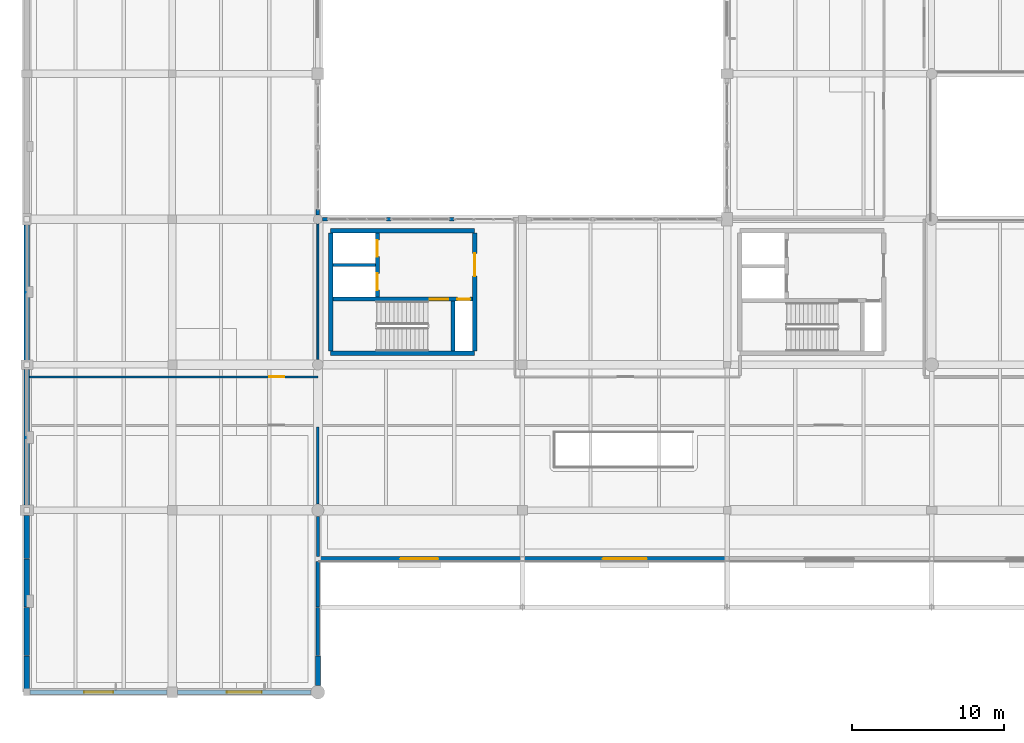
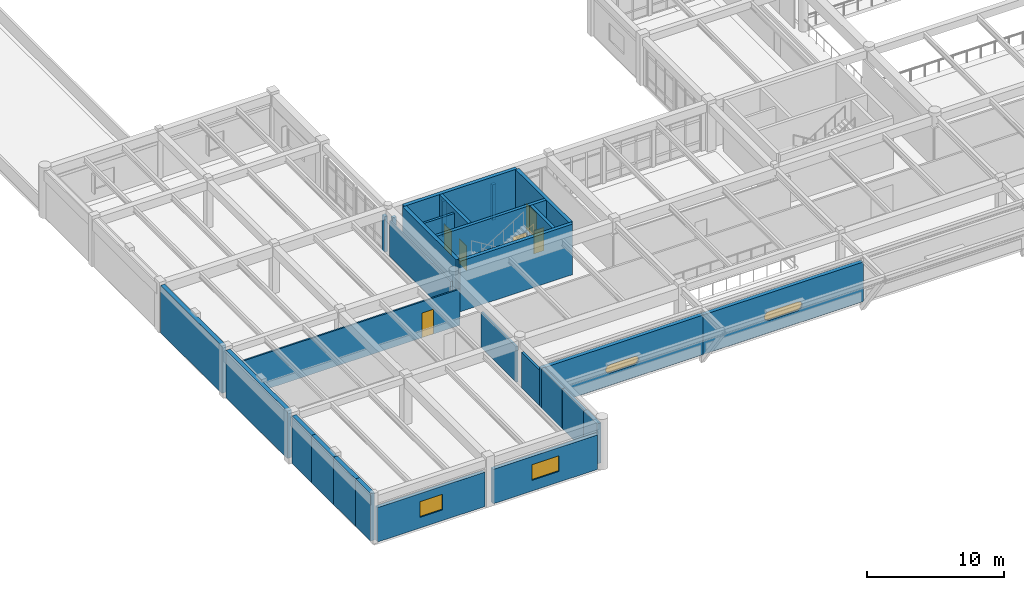
# One storey, part 87 of 109: 29 walls, 6 doors, 4 windows, 10 openings.
"""IFC4 building model written with IfcOpenShell, lengths in metres."""

from ifc_helpers import new_model, si_unit, direction, frame, frame_2d, origin, place, context, subcontext, project, spatial, polyline, rectangle, outline, extrude, material, layer, layer_set, type_object, element, fill, save


model = new_model("IFC4")

# Units and contexts
model_context = context("Model", 3, precision=1e-05, world=origin(), true_north=direction((0.0, 1.0)))
body_context = subcontext(model_context, "Body", "Model", "MODEL_VIEW")
ifc_project = project(units=[si_unit("LENGTHUNIT", "METRE"), si_unit("AREAUNIT", "SQUARE_METRE"), si_unit("VOLUMEUNIT", "CUBIC_METRE"), si_unit("PLANEANGLEUNIT", "RADIAN"), si_unit("MASSUNIT", "GRAM", prefix="KILO")], contexts=[model_context])

# Site, building, storey
site_placement = place(None, origin())
site = spatial("IfcSite", under=ifc_project, at=site_placement, CompositionType="ELEMENT")
building_placement = place(site_placement, origin())
building = spatial("IfcBuilding", under=site, at=building_placement, Name="Fikremerkos Civic Library", CompositionType="ELEMENT")
storey_placement = place(building_placement, frame((0.0, 0.0, 5.39990234375)))
storey = spatial("IfcBuildingStorey", under=building, at=storey_placement, Name="L01", CompositionType="ELEMENT", Elevation=5.39990234375)

# Walls
ifc_material_1 = material(Name="Concrete C40/50", Category="concrete")
ifc_layer_1 = layer(ifc_material_1, 0.300048828125, Name="Concrete C40/50")
ifc_layer_set_1 = layer_set([ifc_layer_1], Name="Concrete C40/50")
wall_type_1 = type_object("IfcWallType", Name="Core shear wall CSW-01 300", PredefinedType="SHEAR", material=ifc_layer_set_1)
for number, where, z_axis, x_axis, name in (
    (1, (29.550048828125, 22.35009765625, 0.0), (0.0, 0.0, 1.0), (-1.0, 0.0, 0.0), "Core K1 south shear wall L01"),
    (2, (20.050048828125, 30.449951171875, 0.0), (0.0, 0.0, 1.0), (1.0, 0.0, 0.0), "Core K1 north shear wall L01"),
):
    element("IfcWall", number, at=place(storey_placement, frame(where, z_axis=z_axis, x_axis=x_axis)), inside=storey, type_object=wall_type_1, Name=name, PredefinedType="SHEAR", context=body_context, shape_type="SweptSolid", body=[
        extrude(rectangle(XDim=9.5, YDim=0.300048828125, at=frame_2d((4.75, 0.0))), origin(), (0.0, 0.0, 1.0), 4.5),
    ])
wall_1_placement = place(storey_placement, frame((20.050048828125, 22.501953125, 0.0), z_axis=(0.0, 0.0, 1.0), x_axis=(0.0, 1.0, 0.0)))
element("IfcWall", 3, at=wall_1_placement, inside=storey, type_object=wall_type_1, Name="Core K1 west shear wall L01", PredefinedType="SHEAR", context=body_context, shape_type="SweptSolid", body=[
    extrude(rectangle(XDim=7.796142578125, YDim=0.300048828125, at=frame_2d((3.89794921875, 0.0))), origin(), (0.0, 0.0, 1.0), 4.5),
])

# Wall, opening, door
wall_2_placement = place(storey_placement, frame((29.550048828125, 30.298095703125, 0.0), z_axis=(0.0, 0.0, 1.0), x_axis=(0.0, -1.0, 0.0)))
wall_2 = element("IfcWall", 4, at=wall_2_placement, inside=storey, type_object=wall_type_1, Name="Core K1 east shear wall L01", PredefinedType="SHEAR", context=body_context, shape_type="SweptSolid", body=[
    extrude(rectangle(XDim=7.796142578125, YDim=0.300048828125, at=frame_2d((3.89794921875, 0.0))), origin(), (0.0, 0.0, 1.0), 4.5),
])
opening_1_placement = place(wall_2_placement, frame((1.347900390625, 0.0, 0.0)))
opening_1 = element("IfcOpeningElement", 5, at=opening_1_placement, cuts=wall_2, Name="Opening D038", PredefinedType="OPENING", context=body_context, shape_type="SweptSolid", body=[
    extrude(rectangle(XDim=1.5, YDim=2.25, at=frame_2d((0.75, 1.125))), frame((0.0, 0.159912109375, 0.0), z_axis=(0.0, -1.0, 0.0), x_axis=(1.0, 0.0, 0.0)), (0.0, 0.0, 1.0), 0.320068359375),
])
ifc_material_2 = material(Name="Hardwood timber and acoustic glass", Category="wood")
door_type_1 = type_object("IfcDoorType", Name="Pedestrian door DT-05 1500x2250", OperationType="NOTDEFINED", PredefinedType="DOOR", material=ifc_material_2)
door_1_placement = place(opening_1_placement, origin())
door_1 = element("IfcDoor", 6, at=door_1_placement, inside=storey, type_object=door_type_1, Name="Core K1 lobby fire door D038 L01", OperationType="SINGLE_SWING_LEFT", OverallHeight=2.25, OverallWidth=1.5, PredefinedType="DOOR", context=body_context, shape_type="SweptSolid", body=[
    extrude(rectangle(XDim=1.5, YDim=2.25, at=frame_2d((0.75, 1.125))), frame((0.0, 0.032470703125, 0.0), z_axis=(0.0, -1.0, 0.0), x_axis=(1.0, 0.0, 0.0)), (0.0, 0.0, 1.0), 0.06494140625),
])
fill(opening_1, door_1)

# Wall, openings, doors
ifc_layer_2 = layer(ifc_material_1, 0.260009765625, Name="Concrete C40/50")
ifc_layer_set_2 = layer_set([ifc_layer_2], Name="Concrete C40/50")
wall_type_2 = type_object("IfcWallType", Name="Core shear wall CSW-02 260", PredefinedType="SHEAR", material=ifc_layer_set_2)
wall_3_placement = place(storey_placement, frame((20.201904296875, 25.929931640625, 0.0), z_axis=(0.0, 0.0, 1.0), x_axis=(1.0, 0.0, 0.0)))
wall_3 = element("IfcWall", 7, at=wall_3_placement, inside=storey, type_object=wall_type_2, Name="Core K1 stair compartment wall L01", PredefinedType="SHEAR", context=body_context, shape_type="SweptSolid", body=[
    extrude(rectangle(XDim=9.196044921875, YDim=0.260009765625, at=frame_2d((4.59814453125, 0.0))), origin(), (0.0, 0.0, 1.0), 4.5),
])
opening_2_placement = place(wall_3_placement, frame((6.39794921875, 0.0, 0.0)))
opening_2 = element("IfcOpeningElement", 8, at=opening_2_placement, cuts=wall_3, Name="Opening D039", PredefinedType="OPENING", context=body_context, shape_type="SweptSolid", body=[
    extrude(rectangle(XDim=1.199951171875, YDim=2.199951171875, at=frame_2d((0.60009765625, 1.10009765625))), frame((0.0, 0.139892578125, 0.0), z_axis=(0.0, -1.0, 0.0), x_axis=(1.0, 0.0, 0.0)), (0.0, 0.0, 1.0), 0.280029296875),
])
opening_3_placement = place(wall_3_placement, frame((8.202880859375, 0.0, 0.0)))
opening_3 = element("IfcOpeningElement", 9, at=opening_3_placement, cuts=wall_3, Name="Opening D040", PredefinedType="OPENING", context=body_context, shape_type="SweptSolid", body=[
    extrude(rectangle(XDim=0.85009765625, YDim=2.050048828125, at=frame_2d((0.425048828125, 1.02490234375))), frame((0.0, 0.139892578125, 0.0), z_axis=(0.0, -1.0, 0.0), x_axis=(1.0, 0.0, 0.0)), (0.0, 0.0, 1.0), 0.280029296875),
])
door_type_2 = type_object("IfcDoorType", Name="Pedestrian door DT-06 1200x2200", OperationType="NOTDEFINED", PredefinedType="DOOR", material=ifc_material_2)
door_2_placement = place(opening_2_placement, origin())
door_2 = element("IfcDoor", 10, at=door_2_placement, inside=storey, type_object=door_type_2, Name="Core K1 stair fire door D039 L01", OperationType="SINGLE_SWING_LEFT", OverallHeight=2.199951171875, OverallWidth=1.199951171875, PredefinedType="DOOR", context=body_context, shape_type="SweptSolid", body=[
    extrude(rectangle(XDim=1.199951171875, YDim=2.199951171875, at=frame_2d((0.60009765625, 1.10009765625))), frame((0.0, 0.032470703125, 0.0), z_axis=(0.0, -1.0, 0.0), x_axis=(1.0, 0.0, 0.0)), (0.0, 0.0, 1.0), 0.06494140625),
])
fill(opening_2, door_2)
door_type_3 = type_object("IfcDoorType", Name="Pedestrian door DT-08 850x2050", OperationType="NOTDEFINED", PredefinedType="DOOR", material=ifc_material_2)
door_3_placement = place(opening_3_placement, origin())
door_3 = element("IfcDoor", 11, at=door_3_placement, inside=storey, type_object=door_type_3, Name="Core K1 riser access fire door D040 L01", OperationType="SINGLE_SWING_LEFT", OverallHeight=2.050048828125, OverallWidth=0.85009765625, PredefinedType="DOOR", context=body_context, shape_type="SweptSolid", body=[
    extrude(rectangle(XDim=0.85009765625, YDim=2.050048828125, at=frame_2d((0.425048828125, 1.02490234375))), frame((0.0, 0.032470703125, 0.0), z_axis=(0.0, -1.0, 0.0), x_axis=(1.0, 0.0, 0.0)), (0.0, 0.0, 1.0), 0.06494140625),
])
fill(opening_3, door_3)

# Wall
wall_4_placement = place(storey_placement, frame((28.1298828125, 22.501953125, 0.0), z_axis=(0.0, 0.0, 1.0), x_axis=(0.0, 1.0, 0.0)))
element("IfcWall", 12, at=wall_4_placement, inside=storey, type_object=wall_type_2, Name="Core K1 stair-riser shear wall L01", PredefinedType="SHEAR", context=body_context, shape_type="SweptSolid", body=[
    extrude(rectangle(XDim=3.296142578125, YDim=0.260009765625, at=frame_2d((1.64794921875, 0.0))), origin(), (0.0, 0.0, 1.0), 4.5),
])

# Wall, openings, doors
wall_5_placement = place(storey_placement, frame((23.1298828125, 26.06201171875, 0.0), z_axis=(0.0, 0.0, 1.0), x_axis=(0.0, 1.0, 0.0)))
wall_5 = element("IfcWall", 13, at=wall_5_placement, inside=storey, type_object=wall_type_2, Name="Core K1 lift shaft front wall L01", PredefinedType="SHEAR", context=body_context, shape_type="SweptSolid", body=[
    extrude(rectangle(XDim=4.236083984375, YDim=0.260009765625, at=frame_2d((2.1181640625, 0.0))), origin(), (0.0, 0.0, 1.0), 4.5),
])
opening_4_placement = place(wall_5_placement, frame((0.468017578125, 0.0, 0.0)))
opening_4 = element("IfcOpeningElement", 14, at=opening_4_placement, cuts=wall_5, Name="Opening LD07", PredefinedType="OPENING", context=body_context, shape_type="SweptSolid", body=[
    extrude(rectangle(XDim=1.10009765625, YDim=2.14990234375, at=frame_2d((0.550048828125, 1.074951171875))), frame((0.0, 0.139892578125, 0.0), z_axis=(0.0, -1.0, 0.0), x_axis=(1.0, 0.0, 0.0)), (0.0, 0.0, 1.0), 0.280029296875),
])
opening_5_placement = place(wall_5_placement, frame((2.66796875, 0.0, 0.0)))
opening_5 = element("IfcOpeningElement", 15, at=opening_5_placement, cuts=wall_5, Name="Opening LD08", PredefinedType="OPENING", context=body_context, shape_type="SweptSolid", body=[
    extrude(rectangle(XDim=1.10009765625, YDim=2.14990234375, at=frame_2d((0.550048828125, 1.074951171875))), frame((0.0, 0.139892578125, 0.0), z_axis=(0.0, -1.0, 0.0), x_axis=(1.0, 0.0, 0.0)), (0.0, 0.0, 1.0), 0.280029296875),
])
ifc_material_3 = material(Name="Brushed stainless steel", Category="steel")
door_type_4 = type_object("IfcDoorType", Name="Lift landing door LDT-01 1100x2150", OperationType="NOTDEFINED", PredefinedType="DOOR", material=ifc_material_3)
door_4_placement = place(opening_4_placement, origin())
door_4 = element("IfcDoor", 16, at=door_4_placement, inside=storey, type_object=door_type_4, Name="Lift LF01 sliding landing door LD07 L01", OperationType="SLIDING_TO_LEFT", OverallHeight=2.14990234375, OverallWidth=1.10009765625, PredefinedType="DOOR", context=body_context, shape_type="SweptSolid", body=[
    extrude(rectangle(XDim=1.10009765625, YDim=2.14990234375, at=frame_2d((0.550048828125, 1.074951171875))), frame((0.0, 0.032470703125, 0.0), z_axis=(0.0, -1.0, 0.0), x_axis=(1.0, 0.0, 0.0)), (0.0, 0.0, 1.0), 0.06494140625),
])
fill(opening_4, door_4)
door_5_placement = place(opening_5_placement, origin())
door_5 = element("IfcDoor", 17, at=door_5_placement, inside=storey, type_object=door_type_4, Name="Lift LF02 sliding landing door LD08 L01", OperationType="SLIDING_TO_LEFT", OverallHeight=2.14990234375, OverallWidth=1.10009765625, PredefinedType="DOOR", context=body_context, shape_type="SweptSolid", body=[
    extrude(rectangle(XDim=1.10009765625, YDim=2.14990234375, at=frame_2d((0.550048828125, 1.074951171875))), frame((0.0, 0.032470703125, 0.0), z_axis=(0.0, -1.0, 0.0), x_axis=(1.0, 0.0, 0.0)), (0.0, 0.0, 1.0), 0.06494140625),
])
fill(opening_5, door_5)

# Walls
ifc_layer_3 = layer(ifc_material_1, 0.35009765625, Name="Concrete C40/50")
ifc_layer_set_3 = layer_set([ifc_layer_3], Name="Concrete C40/50")
wall_type_3 = type_object("IfcWallType", Name="Exterior solid wall ESW-01 350", PredefinedType="SOLIDWALL", material=ifc_layer_set_3)
wall_6_placement = place(storey_placement, frame((0.0, 0.222900390625, 0.0), z_axis=(0.0, 0.0, 1.0), x_axis=(0.0, 1.0, 0.0)))
element("IfcWall", 18, at=wall_6_placement, inside=storey, type_object=wall_type_3, Name="Party boundary wall ESW-01 L01 #329", PredefinedType="SOLIDWALL", context=body_context, shape_type="SweptSolid", body=[
    extrude(rectangle(XDim=2.175048828125, YDim=0.35009765625, at=frame_2d((1.08740234375, 0.0))), origin(), (0.0, 0.0, 1.0), 4.22021484375),
])
wall_7_placement = place(storey_placement, frame((0.0, 2.402099609375, 0.0), z_axis=(0.0, 0.0, 1.0), x_axis=(0.0, 1.0, 0.0)))
element("IfcWall", 19, at=wall_7_placement, inside=storey, type_object=wall_type_3, Name="Party boundary wall ESW-01 L01 #330", PredefinedType="SOLIDWALL", context=body_context, shape_type="SweptSolid", body=[
    extrude(rectangle(XDim=3.19580078125, YDim=0.35009765625, at=frame_2d((1.597900390625, 0.0))), origin(), (0.0, 0.0, 1.0), 4.22021484375),
])
wall_8_placement = place(storey_placement, frame((0.0, 5.60205078125, 0.0), z_axis=(0.0, 0.0, 1.0), x_axis=(0.0, 1.0, 0.0)))
element("IfcWall", 20, at=wall_8_placement, inside=storey, type_object=wall_type_3, Name="Party boundary wall ESW-01 L01 #331", PredefinedType="SOLIDWALL", context=body_context, shape_type="SweptSolid", body=[
    extrude(rectangle(XDim=3.196044921875, YDim=0.35009765625, at=frame_2d((1.59814453125, 0.0))), origin(), (0.0, 0.0, 1.0), 4.22021484375),
])
wall_9_placement = place(storey_placement, frame((0.0, 8.802001953125, 0.0), z_axis=(0.0, 0.0, 1.0), x_axis=(0.0, 1.0, 0.0)))
element("IfcWall", 21, at=wall_9_placement, inside=storey, type_object=wall_type_3, Name="Party boundary wall ESW-01 L01 #332", PredefinedType="SOLIDWALL", context=body_context, shape_type="SweptSolid", body=[
    extrude(rectangle(XDim=2.85009765625, YDim=0.35009765625, at=frame_2d((1.425048828125, 0.0))), origin(), (0.0, 0.0, 1.0), 4.22021484375),
])
wall_10_placement = place(storey_placement, frame((0.0, 12.347900390625, 0.0), z_axis=(0.0, 0.0, 1.0), x_axis=(0.0, 1.0, 0.0)))
element("IfcWall", 22, at=wall_10_placement, inside=storey, type_object=wall_type_3, Name="Party boundary wall ESW-01 L01 #333", PredefinedType="SOLIDWALL", context=body_context, shape_type="SweptSolid", body=[
    extrude(rectangle(XDim=8.9541015625, YDim=0.35009765625, at=frame_2d((4.47705078125, 0.0))), origin(), (0.0, 0.0, 1.0), 4.22021484375),
])
wall_11_placement = place(storey_placement, frame((0.0, 21.89794921875, 0.0), z_axis=(0.0, 0.0, 1.0), x_axis=(0.0, 1.0, 0.0)))
element("IfcWall", 23, at=wall_11_placement, inside=storey, type_object=wall_type_3, Name="Party boundary wall ESW-01 L01 #334", PredefinedType="SOLIDWALL", context=body_context, shape_type="SweptSolid", body=[
    extrude(rectangle(XDim=8.928955078125, YDim=0.35009765625, at=frame_2d((4.46435546875, 0.0))), origin(), (0.0, 0.0, 1.0), 4.22021484375),
])
ifc_material_4 = material(Name="Precast concrete C40/50", Category="concrete")
ifc_layer_4 = layer(ifc_material_4, 0.320068359375, Name="Precast concrete C40/50")
ifc_layer_set_4 = layer_set([ifc_layer_4], Name="Precast concrete C40/50")
wall_type_4 = type_object("IfcWallType", Name="Exterior solid wall ESW-02 320", PredefinedType="SOLIDWALL", material=ifc_layer_set_4)
wall_12_placement = place(storey_placement, frame((19.199951171875, 2.39794921875, 0.0), z_axis=(0.0, 0.0, 1.0), x_axis=(0.0, -1.0, 0.0)))
element("IfcWall", 24, at=wall_12_placement, inside=storey, type_object=wall_type_4, Name="Exterior solid wall ESW-02 L01 #326", PredefinedType="SOLIDWALL", context=body_context, shape_type="SweptSolid", body=[
    extrude(rectangle(XDim=1.949951171875, YDim=0.320068359375, at=frame_2d((0.97509765625, 0.0))), origin(), (0.0, 0.0, 1.0), 3.570068359375),
])

# Wall, opening, window
wall_13_placement = place(storey_placement, frame((46.197998046875, 8.800048828125, 0.0), z_axis=(0.0, 0.0, 1.0), x_axis=(-1.0, 0.0, 0.0)))
wall_13 = element("IfcWall", 25, at=wall_13_placement, inside=storey, type_object=wall_type_4, Name="Cantilever concrete band wall ESW-02 L01 #411", PredefinedType="SOLIDWALL", context=body_context, shape_type="SweptSolid", body=[
    extrude(rectangle(XDim=13.49609375, YDim=0.320068359375, at=frame_2d((6.748046875, 0.0))), origin(), (0.0, 0.0, 1.0), 3.52001953125),
])
opening_6_placement = place(wall_13_placement, frame((5.14794921875, 0.0, 1.10009765625)))
opening_6 = element("IfcOpeningElement", 26, at=opening_6_placement, cuts=wall_13, Name="Opening SW-06", PredefinedType="OPENING", context=body_context, shape_type="SweptSolid", body=[
    extrude(outline(polyline([(0.39990234375, 0.800048828125), (0.26318359375, 0.77587890625), (0.142822265625, 0.70654296875), (0.0537109375, 0.60009765625), (0.006103515625, 0.469482421875), (0.006103515625, 0.33056640625), (0.0537109375, 0.199951171875), (0.142822265625, 0.093505859375), (0.26318359375, 0.024169921875), (0.39990234375, 0.0), (2.7998046875, 0.0), (2.936767578125, 0.024169921875), (3.05712890625, 0.093505859375), (3.146240234375, 0.199951171875), (3.19384765625, 0.33056640625), (3.19384765625, 0.469482421875), (3.146240234375, 0.60009765625), (3.05712890625, 0.70654296875), (2.936767578125, 0.77587890625), (2.7998046875, 0.800048828125), (0.39990234375, 0.800048828125)])), frame((0.0, 0.169921875, 0.0), z_axis=(0.0, -1.0, 0.0), x_axis=(1.0, 0.0, 0.0)), (0.0, 0.0, 1.0), 0.340087890625),
])
ifc_material_5 = material(Name="Solar control double glazing", Category="glass")
window_type_1 = type_object("IfcWindowType", Name="Facade slot window SW-06 3200x800", PartitioningType="SINGLE_PANEL", PredefinedType="WINDOW", material=ifc_material_5)
window_1_placement = place(opening_6_placement, origin())
window_1 = element("IfcWindow", 27, at=window_1_placement, inside=storey, type_object=window_type_1, Name="Rounded-end facade slot window SW-06 L01 #6", OverallHeight=0.800048828125, OverallWidth=3.199951171875, PartitioningType="SINGLE_PANEL", PredefinedType="WINDOW", context=body_context, shape_type="SweptSolid", body=[
    extrude(outline(polyline([(0.39990234375, 0.800048828125), (0.26318359375, 0.77587890625), (0.142822265625, 0.70654296875), (0.0537109375, 0.60009765625), (0.006103515625, 0.469482421875), (0.006103515625, 0.33056640625), (0.0537109375, 0.199951171875), (0.142822265625, 0.093505859375), (0.26318359375, 0.024169921875), (0.39990234375, 0.0), (2.7998046875, 0.0), (2.936767578125, 0.024169921875), (3.05712890625, 0.093505859375), (3.146240234375, 0.199951171875), (3.19384765625, 0.33056640625), (3.19384765625, 0.469482421875), (3.146240234375, 0.60009765625), (3.05712890625, 0.70654296875), (2.936767578125, 0.77587890625), (2.7998046875, 0.800048828125), (0.39990234375, 0.800048828125)])), frame((0.0, 0.032470703125, 0.0), z_axis=(0.0, -1.0, 0.0), x_axis=(1.0, 0.0, 0.0)), (0.0, 0.0, 1.0), 0.06494140625),
])
fill(opening_6, window_1)

wall_14_placement = place(storey_placement, frame((32.697998046875, 8.800048828125, 0.0), z_axis=(0.0, 0.0, 1.0), x_axis=(-1.0, 0.0, 0.0)))
wall_14 = element("IfcWall", 28, at=wall_14_placement, inside=storey, type_object=wall_type_4, Name="Cantilever concrete band wall ESW-02 L01 #412", PredefinedType="SOLIDWALL", context=body_context, shape_type="SweptSolid", body=[
    extrude(rectangle(XDim=13.60791015625, YDim=0.320068359375, at=frame_2d((6.803955078125, 0.0))), origin(), (0.0, 0.0, 1.0), 3.52001953125),
])
opening_7_placement = place(wall_14_placement, frame((5.404052734375, 0.0, 1.10009765625)))
opening_7 = element("IfcOpeningElement", 29, at=opening_7_placement, cuts=wall_14, Name="Opening SW-07", PredefinedType="OPENING", context=body_context, shape_type="SweptSolid", body=[
    extrude(outline(polyline([(0.375, 0.75), (0.246826171875, 0.727294921875), (0.134033203125, 0.662353515625), (0.05029296875, 0.5625), (0.005615234375, 0.440185546875), (0.005615234375, 0.309814453125), (0.05029296875, 0.1875), (0.134033203125, 0.087646484375), (0.246826171875, 0.022705078125), (0.375, 0.0), (2.425048828125, 0.0), (2.55322265625, 0.022705078125), (2.666015625, 0.087646484375), (2.749755859375, 0.1875), (2.79443359375, 0.309814453125), (2.79443359375, 0.440185546875), (2.749755859375, 0.5625), (2.666015625, 0.662353515625), (2.55322265625, 0.727294921875), (2.425048828125, 0.75), (0.375, 0.75)])), frame((0.0, 0.169921875, 0.0), z_axis=(0.0, -1.0, 0.0), x_axis=(1.0, 0.0, 0.0)), (0.0, 0.0, 1.0), 0.340087890625),
])
window_type_2 = type_object("IfcWindowType", Name="Facade slot window SW-07 2800x750", PartitioningType="SINGLE_PANEL", PredefinedType="WINDOW", material=ifc_material_5)
window_2_placement = place(opening_7_placement, origin())
window_2 = element("IfcWindow", 30, at=window_2_placement, inside=storey, type_object=window_type_2, Name="Rounded-end facade slot window SW-07 L01 #7", OverallHeight=0.75, OverallWidth=2.800048828125, PartitioningType="SINGLE_PANEL", PredefinedType="WINDOW", context=body_context, shape_type="SweptSolid", body=[
    extrude(outline(polyline([(0.375, 0.75), (0.246826171875, 0.727294921875), (0.134033203125, 0.662353515625), (0.05029296875, 0.5625), (0.005615234375, 0.440185546875), (0.005615234375, 0.309814453125), (0.05029296875, 0.1875), (0.134033203125, 0.087646484375), (0.246826171875, 0.022705078125), (0.375, 0.0), (2.425048828125, 0.0), (2.55322265625, 0.022705078125), (2.666015625, 0.087646484375), (2.749755859375, 0.1875), (2.79443359375, 0.309814453125), (2.79443359375, 0.440185546875), (2.749755859375, 0.5625), (2.666015625, 0.662353515625), (2.55322265625, 0.727294921875), (2.425048828125, 0.75), (0.375, 0.75)])), frame((0.0, 0.032470703125, 0.0), z_axis=(0.0, -1.0, 0.0), x_axis=(1.0, 0.0, 0.0)), (0.0, 0.0, 1.0), 0.06494140625),
])
fill(opening_7, window_2)

ifc_layer_5 = layer(ifc_material_4, 0.300048828125, Name="Precast concrete C40/50")
ifc_layer_set_5 = layer_set([ifc_layer_5], Name="Precast concrete C40/50")
wall_type_5 = type_object("IfcWallType", Name="Exterior solid wall ESW-03 300", PredefinedType="SOLIDWALL", material=ifc_layer_set_5)
wall_15_placement = place(storey_placement, frame((18.751953125, 0.0, 0.0), z_axis=(0.0, 0.0, 1.0), x_axis=(-1.0, 0.0, 0.0)))
wall_15 = element("IfcWall", 31, at=wall_15_placement, inside=storey, type_object=wall_type_5, Name="Exterior solid wall ESW-03 L01 #327", PredefinedType="SOLIDWALL", context=body_context, shape_type="SweptSolid", body=[
    extrude(rectangle(XDim=8.803955078125, YDim=0.300048828125, at=frame_2d((4.40185546875, 0.0))), origin(), (0.0, 0.0, 1.0), 3.070068359375),
])
opening_8_placement = place(wall_15_placement, frame((3.251953125, 0.0, 0.949951171875)))
opening_8 = element("IfcOpeningElement", 32, at=opening_8_placement, cuts=wall_15, Name="Opening CWND-13", PredefinedType="OPENING", context=body_context, shape_type="SweptSolid", body=[
    extrude(rectangle(XDim=2.300048828125, YDim=1.39990234375, at=frame_2d((1.14990234375, 0.699951171875))), frame((0.0, 0.159912109375, 0.0), z_axis=(0.0, -1.0, 0.0), x_axis=(1.0, 0.0, 0.0)), (0.0, 0.0, 1.0), 0.320068359375),
])
window_type_3 = type_object("IfcWindowType", Name="Courtyard window CWND-13 2300x1400", PartitioningType="SINGLE_PANEL", PredefinedType="WINDOW", material=ifc_material_5)
window_3_placement = place(opening_8_placement, origin())
window_3 = element("IfcWindow", 33, at=window_3_placement, inside=storey, type_object=window_type_3, Name="Courtyard window CWND-13 L01 #13", OverallHeight=1.39990234375, OverallWidth=2.300048828125, PartitioningType="SINGLE_PANEL", PredefinedType="WINDOW", context=body_context, shape_type="SweptSolid", body=[
    extrude(rectangle(XDim=2.300048828125, YDim=1.39990234375, at=frame_2d((1.14990234375, 0.699951171875))), frame((0.0, 0.032470703125, 0.0), z_axis=(0.0, -1.0, 0.0), x_axis=(1.0, 0.0, 0.0)), (0.0, 0.0, 1.0), 0.06494140625),
])
fill(opening_8, window_3)

ifc_layer_6 = layer(ifc_material_4, 0.280029296875, Name="Precast concrete C40/50")
ifc_layer_set_6 = layer_set([ifc_layer_6], Name="Precast concrete C40/50")
wall_type_6 = type_object("IfcWallType", Name="Exterior solid wall ESW-04 280", PredefinedType="SOLIDWALL", material=ifc_layer_set_6)
wall_16_placement = place(storey_placement, frame((9.251953125, 0.0, 0.0), z_axis=(0.0, 0.0, 1.0), x_axis=(-1.0, 0.0, 0.0)))
wall_16 = element("IfcWall", 34, at=wall_16_placement, inside=storey, type_object=wall_type_6, Name="Exterior solid wall ESW-04 L01 #328", PredefinedType="SOLIDWALL", context=body_context, shape_type="SweptSolid", body=[
    extrude(rectangle(XDim=9.029052734375, YDim=0.280029296875, at=frame_2d((4.5146484375, 0.0))), origin(), (0.0, 0.0, 1.0), 3.070068359375),
])
opening_9_placement = place(wall_16_placement, frame((3.564453125, 0.0, 0.949951171875)))
opening_9 = element("IfcOpeningElement", 35, at=opening_9_placement, cuts=wall_16, Name="Opening CWND-14", PredefinedType="OPENING", context=body_context, shape_type="SweptSolid", body=[
    extrude(rectangle(XDim=1.89990234375, YDim=1.39990234375, at=frame_2d((0.949951171875, 0.699951171875))), frame((0.0, 0.14990234375, 0.0), z_axis=(0.0, -1.0, 0.0), x_axis=(1.0, 0.0, 0.0)), (0.0, 0.0, 1.0), 0.300048828125),
])
window_type_4 = type_object("IfcWindowType", Name="Courtyard window CWND-14 1900x1400", PartitioningType="SINGLE_PANEL", PredefinedType="WINDOW", material=ifc_material_5)
window_4_placement = place(opening_9_placement, origin())
window_4 = element("IfcWindow", 36, at=window_4_placement, inside=storey, type_object=window_type_4, Name="Courtyard window CWND-14 L01 #14", OverallHeight=1.39990234375, OverallWidth=1.89990234375, PartitioningType="SINGLE_PANEL", PredefinedType="WINDOW", context=body_context, shape_type="SweptSolid", body=[
    extrude(rectangle(XDim=1.89990234375, YDim=1.39990234375, at=frame_2d((0.949951171875, 0.699951171875))), frame((0.0, 0.032470703125, 0.0), z_axis=(0.0, -1.0, 0.0), x_axis=(1.0, 0.0, 0.0)), (0.0, 0.0, 1.0), 0.06494140625),
])
fill(opening_9, window_4)

# Walls
ifc_layer_7 = layer(ifc_material_4, 0.25, Name="Precast concrete C40/50")
ifc_layer_set_7 = layer_set([ifc_layer_7], Name="Precast concrete C40/50")
wall_type_7 = type_object("IfcWallType", Name="Exterior solid wall ESW-05 250", PredefinedType="SOLIDWALL", material=ifc_layer_set_7)
wall_17_placement = place(storey_placement, frame((19.199951171875, 8.6201171875, 0.0), z_axis=(0.0, 0.0, 1.0), x_axis=(0.0, -1.0, 0.0)))
element("IfcWall", 37, at=wall_17_placement, inside=storey, type_object=wall_type_7, Name="Exterior solid wall ESW-05 L01 #324", PredefinedType="SOLIDWALL", context=body_context, shape_type="SweptSolid", body=[
    extrude(rectangle(XDim=3.01806640625, YDim=0.25, at=frame_2d((1.509033203125, 0.0))), origin(), (0.0, 0.0, 1.0), 3.570068359375),
])
for number, where, z_axis, x_axis, name in (
    (38, (19.199951171875, 31.847900390625, 0.0), (0.0, 0.0, 1.0), (0.0, -1.0, 0.0), "Exterior facade pier ESW-05 #341"),
    (39, (19.498046875, 31.199951171875, 0.0), (0.0, 0.0, 1.0), (1.0, 0.0, 0.0), "Exterior facade pier ESW-05 #343"),
):
    element("IfcWall", number, at=place(storey_placement, frame(where, z_axis=z_axis, x_axis=x_axis)), inside=storey, type_object=wall_type_7, Name=name, PredefinedType="SOLIDWALL", context=body_context, shape_type="SweptSolid", body=[
        extrude(rectangle(XDim=0.349853515625, YDim=0.25, at=frame_2d((0.1748046875, 0.0))), origin(), (0.0, 0.0, 1.0), 3.170166015625),
    ])
for number, where, z_axis, x_axis, name in (
    (40, (23.724365234375, 31.199951171875, 0.0), (0.0, 0.0, 1.0), (1.0, 0.0, 0.0), "Exterior facade mullion pier ESW-05 #345"),
    (41, (27.900634765625, 31.199951171875, 0.0), (0.0, 0.0, 1.0), (1.0, 0.0, 0.0), "Exterior facade mullion pier ESW-05 #346"),
):
    element("IfcWall", number, at=place(storey_placement, frame(where, z_axis=z_axis, x_axis=x_axis)), inside=storey, type_object=wall_type_7, Name=name, PredefinedType="SOLIDWALL", context=body_context, shape_type="SweptSolid", body=[
        extrude(rectangle(XDim=0.300048828125, YDim=0.25, at=frame_2d((0.14990234375, 0.0))), origin(), (0.0, 0.0, 1.0), 3.170166015625),
    ])
ifc_layer_8 = layer(ifc_material_4, 0.219970703125, Name="Precast concrete C40/50")
ifc_layer_set_8 = layer_set([ifc_layer_8], Name="Precast concrete C40/50")
wall_type_8 = type_object("IfcWallType", Name="Exterior solid wall ESW-06 220", PredefinedType="SOLIDWALL", material=ifc_layer_set_8)
wall_18_placement = place(storey_placement, frame((19.199951171875, 5.597900390625, 0.0), z_axis=(0.0, 0.0, 1.0), x_axis=(0.0, -1.0, 0.0)))
element("IfcWall", 42, at=wall_18_placement, inside=storey, type_object=wall_type_8, Name="Exterior solid wall ESW-06 L01 #325", PredefinedType="SOLIDWALL", context=body_context, shape_type="SweptSolid", body=[
    extrude(rectangle(XDim=3.19580078125, YDim=0.219970703125, at=frame_2d((1.597900390625, 0.0))), origin(), (0.0, 0.0, 1.0), 3.570068359375),
])
ifc_material_6 = material(Name="Acoustic concrete blockwork", Category="masonry")
ifc_layer_9 = layer(ifc_material_6, 0.18994140625, Name="Acoustic concrete blockwork")
ifc_layer_set_9 = layer_set([ifc_layer_9], Name="Acoustic concrete blockwork")
wall_type_9 = type_object("IfcWallType", Name="Interior partition wall IPW-01 190", PredefinedType="PARTITIONING", material=ifc_layer_set_9)
wall_19_placement = place(storey_placement, frame((19.199951171875, 8.962890625, 0.0), z_axis=(0.0, 0.0, 1.0), x_axis=(0.0, 1.0, 0.0)))
element("IfcWall", 43, at=wall_19_placement, inside=storey, type_object=wall_type_9, Name="Interior wall IPW-01 L01 #164", PredefinedType="PARTITIONING", context=body_context, shape_type="SweptSolid", body=[
    extrude(rectangle(XDim=2.634033203125, YDim=0.18994140625, at=frame_2d((1.31689453125, 0.0))), origin(), (0.0, 0.0, 1.0), 3.170166015625),
])
ifc_material_7 = material(Name="Acoustic gypsum stud partition")
ifc_layer_10 = layer(ifc_material_7, 0.14990234375, Name="Acoustic gypsum stud partition")
ifc_layer_set_10 = layer_set([ifc_layer_10], Name="Acoustic gypsum stud partition")
wall_type_10 = type_object("IfcWallType", Name="Interior partition wall IPW-02 150", PredefinedType="PARTITIONING", material=ifc_layer_set_10)
wall_20_placement = place(storey_placement, frame((19.199951171875, 12.403076171875, 0.0), z_axis=(0.0, 0.0, 1.0), x_axis=(0.0, 1.0, 0.0)))
element("IfcWall", 44, at=wall_20_placement, inside=storey, type_object=wall_type_10, Name="Interior wall IPW-02 L01 #165", PredefinedType="PARTITIONING", context=body_context, shape_type="SweptSolid", body=[
    extrude(rectangle(XDim=5.092041015625, YDim=0.14990234375, at=frame_2d((2.5458984375, 0.0))), origin(), (0.0, 0.0, 1.0), 3.170166015625),
])

# Wall, opening, door
ifc_material_8 = material(Name="Gypsum metal stud partition")
ifc_layer_11 = layer(ifc_material_8, 0.1298828125, Name="Gypsum metal stud partition")
ifc_layer_set_11 = layer_set([ifc_layer_11], Name="Gypsum metal stud partition")
wall_type_11 = type_object("IfcWallType", Name="Interior partition wall IPW-03 130", PredefinedType="PARTITIONING", material=ifc_layer_set_11)
wall_21_placement = place(storey_placement, frame((0.177978515625, 20.800048828125, 0.0), z_axis=(0.0, 0.0, 1.0), x_axis=(1.0, 0.0, 0.0)))
wall_21 = element("IfcWall", 45, at=wall_21_placement, inside=storey, type_object=wall_type_11, Name="Interior wall IPW-03 L01 #154", PredefinedType="PARTITIONING", context=body_context, shape_type="SweptSolid", body=[
    extrude(rectangle(XDim=19.02197265625, YDim=0.1298828125, at=frame_2d((9.510986328125, 0.0))), origin(), (0.0, 0.0, 1.0), 3.210205078125),
])
opening_10_placement = place(wall_21_placement, frame((15.822021484375, 0.0, 0.0)))
opening_10 = element("IfcOpeningElement", 46, at=opening_10_placement, cuts=wall_21, Name="Opening D201", PredefinedType="OPENING", context=body_context, shape_type="SweptSolid", body=[
    extrude(rectangle(XDim=1.0, YDim=2.199951171875, at=frame_2d((0.5, 1.10009765625))), frame((0.0, 0.074951171875, 0.0), z_axis=(0.0, -1.0, 0.0), x_axis=(1.0, 0.0, 0.0)), (0.0, 0.0, 1.0), 0.14990234375),
])
door_type_5 = type_object("IfcDoorType", Name="Pedestrian door DT-01 1000x2200", OperationType="NOTDEFINED", PredefinedType="DOOR", material=ifc_material_2)
door_6_placement = place(opening_10_placement, origin())
door_6 = element("IfcDoor", 47, at=door_6_placement, inside=storey, type_object=door_type_5, Name="Interior door D201 L01", OperationType="SINGLE_SWING_RIGHT", OverallHeight=2.199951171875, OverallWidth=1.0, PredefinedType="DOOR", context=body_context, shape_type="SweptSolid", body=[
    extrude(rectangle(XDim=1.0, YDim=2.199951171875, at=frame_2d((0.5, 1.10009765625))), frame((0.0, 0.032470703125, 0.0), z_axis=(0.0, -1.0, 0.0), x_axis=(1.0, 0.0, 0.0)), (0.0, 0.0, 1.0), 0.06494140625),
])
fill(opening_10, door_6)

# Walls
wall_22_placement = place(storey_placement, frame((19.199951171875, 21.952880859375, 0.0), z_axis=(0.0, 0.0, 1.0), x_axis=(0.0, 1.0, 0.0)))
element("IfcWall", 48, at=wall_22_placement, inside=storey, type_object=wall_type_11, Name="Interior wall IPW-03 L01 #166", PredefinedType="PARTITIONING", context=body_context, shape_type="SweptSolid", body=[
    extrude(rectangle(XDim=8.944091796875, YDim=0.1298828125, at=frame_2d((4.47216796875, 0.0))), origin(), (0.0, 0.0, 1.0), 3.170166015625),
])
ifc_material_9 = material(Name="Concrete C35/45", Category="concrete")
ifc_layer_12 = layer(ifc_material_9, 0.199951171875, Name="Concrete C35/45")
ifc_layer_set_12 = layer_set([ifc_layer_12], Name="Concrete C35/45")
wall_type_12 = type_object("IfcWallType", Name="Service duct wall SDW-01 200", PredefinedType="PLUMBINGWALL", material=ifc_layer_set_12)
wall_23_placement = place(storey_placement, frame((20.201904296875, 28.179931640625, 0.0), z_axis=(0.0, 0.0, 1.0), x_axis=(1.0, 0.0, 0.0)))
element("IfcWall", 49, at=wall_23_placement, inside=storey, type_object=wall_type_12, Name="Core K1 inter-lift shaft wall L01", PredefinedType="PLUMBINGWALL", context=body_context, shape_type="SweptSolid", body=[
    extrude(rectangle(XDim=2.796142578125, YDim=0.199951171875, at=frame_2d((1.39794921875, 0.0))), origin(), (0.0, 0.0, 1.0), 4.18017578125),
])

save(model, "model.ifc")
